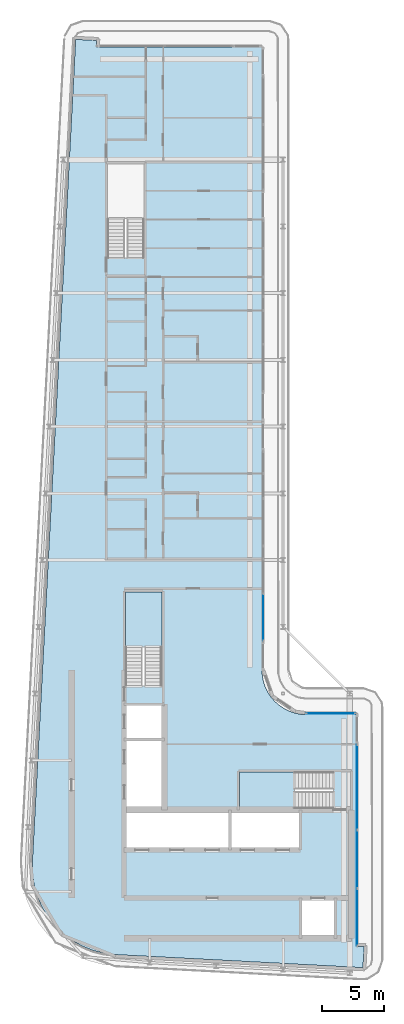
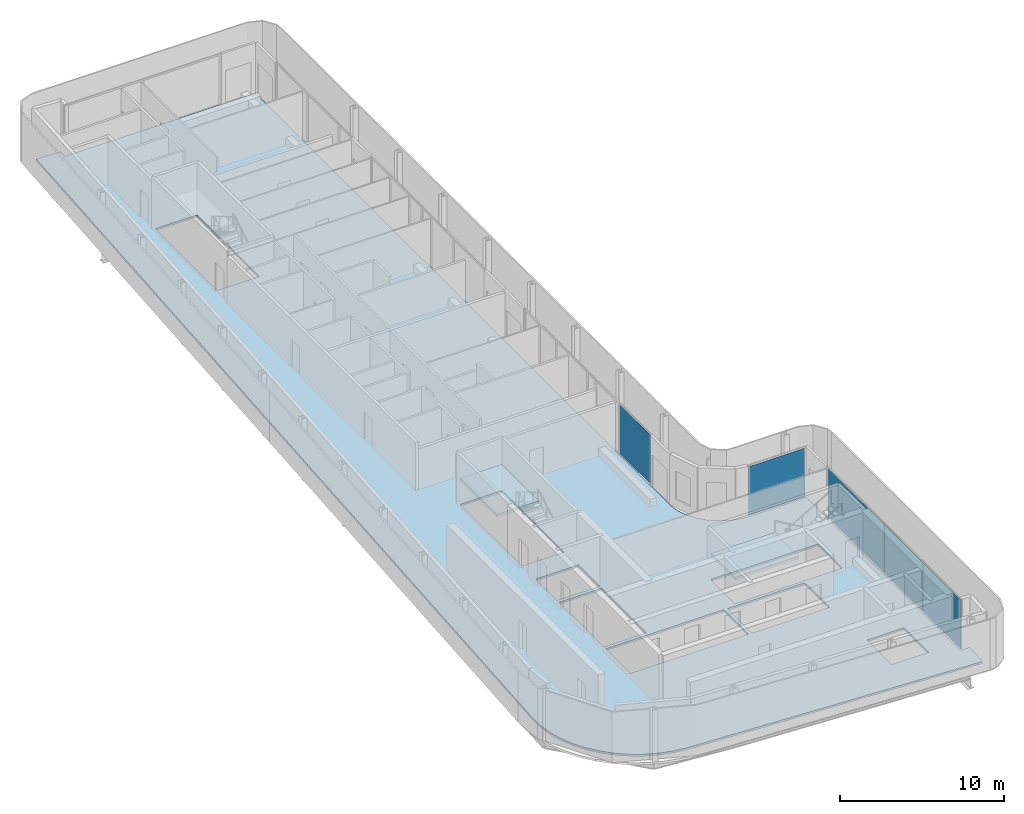
# One storey, part 7 of 18: 5 plates, 3 slabs, 6 elements without a shape of their own.
"""IFC4 building model written with IfcOpenShell, lengths in metres."""

from ifc_helpers import new_model, si_unit, direction, frame, origin, origin_2d, place, context, subcontext, project, spatial, polyline, rectangle, outline, extrude, material, layer, layer_set, type_object, element, aggregate, save


model = new_model("IFC4")

# Units and contexts
model_context = context("Model", 3, precision=1e-05, world=origin(), true_north=direction((0.0, 1.0)))
body_context = subcontext(model_context, "Body", "Model", "MODEL_VIEW")
ifc_project = project(units=[si_unit("LENGTHUNIT", "METRE"), si_unit("AREAUNIT", "SQUARE_METRE"), si_unit("VOLUMEUNIT", "CUBIC_METRE"), si_unit("PLANEANGLEUNIT", "RADIAN"), si_unit("MASSUNIT", "GRAM", prefix="KILO")], contexts=[model_context])

# Site, building, storey
site_placement = place(None, origin())
site = spatial("IfcSite", under=ifc_project, at=site_placement, CompositionType="ELEMENT")
building_placement = place(site_placement, origin())
building = spatial("IfcBuilding", under=site, at=building_placement, Name="Kheshtan School and Residences Tower", CompositionType="ELEMENT")
storey_placement = place(building_placement, frame((0.0, 0.0, 373.39990234375)))
storey = spatial("IfcBuildingStorey", under=building, at=storey_placement, Name="L88", CompositionType="ELEMENT", Elevation=373.39990234375)

# Curtain wall, plate
ifc_material_1 = material(Name="Clear low-e glass in thermally broken aluminium frame", Category="aluminium")
ifc_layer_1 = layer(ifc_material_1, 0.199951171875)
ifc_layer_set_1 = layer_set([ifc_layer_1], Name="Curtain wall CW-B")
curtain_wall_type_1 = type_object("IfcCurtainWallType", Name="Curtain wall CW-B", PredefinedType="NOTDEFINED", material=ifc_layer_set_1)
curtain_wall_1_placement = place(storey_placement, origin())
curtain_wall_1 = element("IfcCurtainWall", 1, at=curtain_wall_1_placement, inside=storey, type_object=curtain_wall_type_1, Name="Curtain wall CWB12", PredefinedType="NOTDEFINED")
ifc_layer_2 = layer(ifc_material_1, 0.031982421875)
ifc_layer_set_2 = layer_set([ifc_layer_2], Name="CW-B glass panel")
plate_type_1 = type_object("IfcPlateType", Name="CW-B glass panel", PredefinedType="CURTAIN_PANEL", material=ifc_layer_set_2)
plate_1_placement = place(storey_placement, frame((51.465087890625, 44.0, 0.000244140625), z_axis=(0.0, 0.0, 1.0), x_axis=(1.0, 0.0, 0.0)))
plate_1 = element("IfcPlate", 2, at=plate_1_placement, type_object=plate_type_1, Name="CWB12 panel 1.1", PredefinedType="CURTAIN_PANEL", context=body_context, shape_type="SweptSolid", body=[
    extrude(rectangle(XDim=3.949951171875, YDim=0.031982421875, at=origin_2d()), origin(), (0.0, 0.0, 1.0), 3.6298828125),
])
aggregate(curtain_wall_1, [plate_1])

ifc_layer_3 = layer(ifc_material_1, 0.199951171875)
ifc_layer_set_3 = layer_set([ifc_layer_3], Name="Curtain wall CW-L")
curtain_wall_type_2 = type_object("IfcCurtainWallType", Name="Curtain wall CW-L", PredefinedType="NOTDEFINED", material=ifc_layer_set_3)
curtain_wall_2_placement = place(storey_placement, origin())
curtain_wall_2 = element("IfcCurtainWall", 3, at=curtain_wall_2_placement, inside=storey, type_object=curtain_wall_type_2, Name="Curtain wall CWL8c", PredefinedType="NOTDEFINED")
ifc_layer_4 = layer(ifc_material_1, 0.031982421875)
ifc_layer_set_4 = layer_set([ifc_layer_4], Name="CW-L glass panel")
plate_type_2 = type_object("IfcPlateType", Name="CW-L glass panel", PredefinedType="CURTAIN_PANEL", material=ifc_layer_set_4)
plate_2_placement = place(storey_placement, frame((46.0, 51.7685546875, 0.000244140625), z_axis=(0.0, 0.0, 1.0), x_axis=(0.0, -1.0, 0.0)))
plate_2 = element("IfcPlate", 4, at=plate_2_placement, type_object=plate_type_2, Name="CWL8c panel 3.1", PredefinedType="CURTAIN_PANEL", context=body_context, shape_type="SweptSolid", body=[
    extrude(rectangle(XDim=3.757080078125, YDim=0.031982421875, at=origin_2d()), origin(), (0.0, 0.0, 1.0), 3.6298828125),
])
aggregate(curtain_wall_2, [plate_2])

curtain_wall_3_placement = place(storey_placement, origin())
curtain_wall_3 = element("IfcCurtainWall", 5, at=curtain_wall_3_placement, inside=storey, type_object=curtain_wall_type_2, Name="Curtain wall CWL13h", PredefinedType="NOTDEFINED")
plate_3_placement = place(storey_placement, frame((53.60009765625, 38.013916015625, 0.000244140625), z_axis=(0.0, 0.0, 1.0), x_axis=(0.0, -1.0, 0.0)))
plate_3 = element("IfcPlate", 6, at=plate_3_placement, type_object=plate_type_2, Name="CWL13h panel 1.1", PredefinedType="CURTAIN_PANEL", context=body_context, shape_type="SweptSolid", body=[
    extrude(rectangle(XDim=6.85205078125, YDim=0.031982421875, at=origin_2d()), origin(), (0.0, 0.0, 1.0), 3.6298828125),
])
aggregate(curtain_wall_3, [plate_3])

# Curtain wall, plates
curtain_wall_4_placement = place(storey_placement, origin())
curtain_wall_4 = element("IfcCurtainWall", 7, at=curtain_wall_4_placement, inside=storey, type_object=curtain_wall_type_2, Name="Curtain wall CWL13i", PredefinedType="NOTDEFINED")
plate_4_placement = place(storey_placement, frame((53.60009765625, 32.199951171875, 0.000244140625), z_axis=(0.0, 0.0, 1.0), x_axis=(0.0, -1.0, 0.0)))
plate_4 = element("IfcPlate", 8, at=plate_4_placement, type_object=plate_type_2, Name="CWL13i panel 1.1", PredefinedType="CURTAIN_PANEL", context=body_context, shape_type="SweptSolid", body=[
    extrude(rectangle(XDim=4.656005859375, YDim=0.031982421875, at=origin_2d()), origin(), (0.0, 0.0, 1.0), 3.6298828125),
])
plate_5_placement = place(storey_placement, frame((53.60009765625, 27.513916015625, 0.000244140625), z_axis=(0.0, 0.0, 1.0), x_axis=(0.0, -1.0, 0.0)))
plate_5 = element("IfcPlate", 9, at=plate_5_placement, type_object=plate_type_2, Name="CWL13i panel 2.1", PredefinedType="CURTAIN_PANEL", context=body_context, shape_type="SweptSolid", body=[
    extrude(rectangle(XDim=4.595947265625, YDim=0.031982421875, at=origin_2d()), origin(), (0.0, 0.0, 1.0), 3.6298828125),
])
aggregate(curtain_wall_4, [plate_4, plate_5])

# Slab
ifc_material_2 = material(Name="Concrete C40/50", Category="concrete")
ifc_layer_5 = layer(ifc_material_2, 0.14990234375)
ifc_layer_set_5 = layer_set([ifc_layer_5], Name="Floor slab 150 Concrete C40/50")
slab_type_1 = type_object("IfcSlabType", Name="Floor slab 150 Concrete C40/50", PredefinedType="FLOOR", material=ifc_layer_set_5)
slab_1_placement = place(storey_placement, frame((0.0, 0.0, -0.14990234375)))
element("IfcSlab", 10, at=slab_1_placement, inside=storey, type_object=slab_type_1, Name="Floor slab L88", PredefinedType="FLOOR", context=body_context, shape_type="SweptSolid", body=[
    extrude(outline(polyline([(28.55908203125, 27.550048828125), (28.0849609375, 28.345947265625), (27.718017578125, 29.200927734375), (27.466064453125, 30.093017578125), (27.466064453125, 30.093994140625), (27.3330078125, 31.013916015625), (27.320068359375, 31.965087890625), (27.320068359375, 31.970947265625), (30.822021484375, 98.5009765625), (30.822998046875, 98.508056640625), (30.825927734375, 98.531005859375), (30.825927734375, 98.531982421875), (30.826904296875, 98.531982421875), (31.422119140625, 98.5), (31.423095703125, 98.5), (31.423095703125, 98.4990234375), (31.423095703125, 98.4951171875), (31.423095703125, 98.493896484375), (31.424072265625, 98.493896484375), (31.424072265625, 98.492919921875), (31.425048828125, 98.492919921875), (31.426025390625, 98.492919921875), (31.426025390625, 98.493896484375), (31.427978515625, 98.49609375), (31.428955078125, 98.4970703125), (31.429931640625, 98.498046875), (31.430908203125, 98.498046875), (31.430908203125, 98.4990234375), (31.431884765625, 98.4990234375), (31.431884765625, 98.5), (31.43505859375, 98.5009765625), (31.43603515625, 98.501953125), (31.43896484375, 98.501953125), (31.43994140625, 98.501953125), (31.43994140625, 98.5029296875), (31.44091796875, 98.5029296875), (31.446044921875, 98.5029296875), (32.5009765625, 98.447021484375), (32.50390625, 98.447021484375), (32.5048828125, 98.447021484375), (32.5048828125, 98.446044921875), (32.506103515625, 98.446044921875), (32.510009765625, 98.446044921875), (32.510009765625, 98.445068359375), (32.510986328125, 98.445068359375), (32.510986328125, 98.444091796875), (32.511962890625, 98.444091796875), (32.511962890625, 98.443115234375), (32.512939453125, 98.443115234375), (32.513916015625, 98.443115234375), (32.513916015625, 98.44189453125), (32.514892578125, 98.44189453125), (32.51611328125, 98.44189453125), (32.51904296875, 98.43896484375), (32.51904296875, 98.43798828125), (32.51904296875, 98.43701171875), (32.52001953125, 98.43701171875), (32.52001953125, 98.43603515625), (32.52099609375, 98.43603515625), (32.52099609375, 98.43408203125), (32.52099609375, 98.43310546875), (32.52197265625, 98.43310546875), (32.52197265625, 98.431884765625), (32.52294921875, 98.431884765625), (32.52294921875, 98.430908203125), (32.52294921875, 98.428955078125), (32.52294921875, 98.427978515625), (32.52392578125, 98.427978515625), (32.52392578125, 98.427001953125), (32.52392578125, 98.422119140625), (32.4970703125, 97.9208984375), (32.4970703125, 97.91796875), (32.4970703125, 97.9169921875), (32.49609375, 97.9169921875), (32.49609375, 97.916015625), (32.49609375, 97.912109375), (32.4951171875, 97.910888671875), (32.4951171875, 97.909912109375), (32.493896484375, 97.909912109375), (32.493896484375, 97.908935546875), (32.492919921875, 97.908935546875), (32.492919921875, 97.907958984375), (32.489013671875, 97.904052734375), (32.488037109375, 97.904052734375), (32.488037109375, 97.903076171875), (32.488037109375, 97.902099609375), (32.488037109375, 97.90087890625), (32.489013671875, 97.90087890625), (32.489013671875, 97.89990234375), (32.489990234375, 97.89990234375), (45.85498046875, 97.89990234375), (45.864990234375, 97.89794921875), (45.865966796875, 97.89794921875), (45.868896484375, 97.89599609375), (45.8740234375, 97.89404296875), (45.8779296875, 97.89208984375), (45.881103515625, 97.889892578125), (45.881103515625, 97.888916015625), (45.882080078125, 97.888916015625), (45.882080078125, 97.887939453125), (45.883056640625, 97.887939453125), (45.884033203125, 97.885009765625), (45.885009765625, 97.885009765625), (45.885009765625, 97.884033203125), (45.887939453125, 97.883056640625), (45.887939453125, 97.882080078125), (45.888916015625, 97.882080078125), (45.888916015625, 97.881103515625), (45.889892578125, 97.881103515625), (45.89208984375, 97.8779296875), (45.89404296875, 97.8740234375), (45.89599609375, 97.868896484375), (45.89794921875, 97.865966796875), (45.89794921875, 97.864990234375), (45.89990234375, 97.85498046875), (45.89990234375, 47.429931640625), (45.927001953125, 47.030029296875), (46.01806640625, 46.570068359375), (46.01806640625, 46.569091796875), (46.169921875, 46.1201171875), (46.37890625, 45.697021484375), (46.638916015625, 45.30810546875), (46.949951171875, 44.950927734375), (46.950927734375, 44.949951171875), (47.30810546875, 44.638916015625), (47.697021484375, 44.37890625), (48.1201171875, 44.169921875), (48.569091796875, 44.01806640625), (48.570068359375, 44.01806640625), (49.030029296875, 43.927001953125), (49.429931640625, 43.89990234375), (53.455078125, 43.89990234375), (53.465087890625, 43.89794921875), (53.466064453125, 43.89794921875), (53.468994140625, 43.89599609375), (53.47412109375, 43.89404296875), (53.47802734375, 43.89208984375), (53.48095703125, 43.889892578125), (53.48095703125, 43.888916015625), (53.48193359375, 43.888916015625), (53.48193359375, 43.887939453125), (53.48291015625, 43.887939453125), (53.48388671875, 43.885009765625), (53.485107421875, 43.885009765625), (53.485107421875, 43.884033203125), (53.488037109375, 43.883056640625), (53.488037109375, 43.882080078125), (53.489013671875, 43.882080078125), (53.489013671875, 43.881103515625), (53.489990234375, 43.881103515625), (53.491943359375, 43.8779296875), (53.493896484375, 43.8740234375), (53.49609375, 43.868896484375), (53.498046875, 43.865966796875), (53.498046875, 43.864990234375), (53.4990234375, 43.860107421875), (53.5, 43.85498046875), (53.5, 25.15087890625), (53.5, 25.14990234375), (53.5009765625, 25.14990234375), (53.5009765625, 25.14892578125), (53.501953125, 25.14892578125), (53.5029296875, 25.14892578125), (53.5029296875, 25.14990234375), (53.506103515625, 25.153076171875), (53.507080078125, 25.154052734375), (53.508056640625, 25.154052734375), (53.508056640625, 25.155029296875), (53.509033203125, 25.155029296875), (53.509033203125, 25.156005859375), (53.512939453125, 25.157958984375), (53.51611328125, 25.157958984375), (53.51708984375, 25.157958984375), (53.51708984375, 25.158935546875), (53.51806640625, 25.158935546875), (53.52294921875, 25.158935546875), (54.137939453125, 25.1259765625), (54.14111328125, 25.1259765625), (54.14208984375, 25.1259765625), (54.14208984375, 25.125), (54.14306640625, 25.125), (54.14697265625, 25.125), (54.14697265625, 25.1240234375), (54.14794921875, 25.1240234375), (54.14794921875, 25.123046875), (54.14892578125, 25.123046875), (54.14892578125, 25.1220703125), (54.14990234375, 25.1220703125), (54.15087890625, 25.1220703125), (54.15087890625, 25.12109375), (54.152099609375, 25.12109375), (54.153076171875, 25.12109375), (54.156005859375, 25.117919921875), (54.156005859375, 25.116943359375), (54.156005859375, 25.115966796875), (54.156982421875, 25.115966796875), (54.156982421875, 25.114990234375), (54.157958984375, 25.114990234375), (54.157958984375, 25.113037109375), (54.157958984375, 25.112060546875), (54.158935546875, 25.112060546875), (54.158935546875, 25.111083984375), (54.159912109375, 25.111083984375), (54.159912109375, 25.110107421875), (54.159912109375, 25.10791015625), (54.159912109375, 25.10693359375), (54.160888671875, 25.10693359375), (54.160888671875, 25.10595703125), (54.160888671875, 25.10107421875), (54.10498046875, 24.0439453125), (54.10498046875, 24.041015625), (54.10498046875, 24.0400390625), (54.10400390625, 24.0400390625), (54.10400390625, 24.0390625), (54.10400390625, 24.034912109375), (54.10302734375, 24.033935546875), (54.10302734375, 24.032958984375), (54.10205078125, 24.032958984375), (54.10205078125, 24.031982421875), (54.10107421875, 24.031982421875), (54.10107421875, 24.031005859375), (54.096923828125, 24.027099609375), (54.095947265625, 24.027099609375), (54.095947265625, 24.02587890625), (54.095947265625, 24.02490234375), (54.095947265625, 24.02392578125), (54.096923828125, 24.02392578125), (54.096923828125, 24.02294921875), (54.097900390625, 24.02294921875), (54.09912109375, 24.02294921875), (54.10009765625, 24.02294921875), (54.10009765625, 24.02197265625), (54.068115234375, 23.427001953125), (54.068115234375, 23.426025390625), (54.06689453125, 23.426025390625), (54.04296875, 23.425048828125), (54.0380859375, 23.425048828125), (34.056884765625, 24.47802734375), (33.114990234375, 24.590087890625), (32.215087890625, 24.819091796875), (32.214111328125, 24.819091796875), (31.35205078125, 25.1630859375), (30.541015625, 25.616943359375), (29.799072265625, 26.1708984375), (29.799072265625, 26.172119140625), (29.798095703125, 26.172119140625), (29.134033203125, 26.820068359375), (29.134033203125, 26.821044921875), (29.133056640625, 26.821044921875), (28.55908203125, 27.550048828125)]), holes=[polyline([(53.5009765625, 24.030029296875), (53.5, 24.030029296875), (53.5, 24.029052734375), (53.5, 24.02490234375), (53.5, 24.02392578125), (53.5009765625, 24.02392578125), (53.5009765625, 24.02294921875), (53.501953125, 24.02294921875), (53.506103515625, 24.02294921875), (53.507080078125, 24.02294921875), (53.507080078125, 24.02392578125), (53.508056640625, 24.02392578125), (53.508056640625, 24.02490234375), (53.508056640625, 24.02587890625), (53.507080078125, 24.02587890625), (53.50390625, 24.029052734375), (53.5029296875, 24.030029296875), (53.5029296875, 24.031005859375), (53.501953125, 24.031005859375), (53.5009765625, 24.031005859375), (53.5009765625, 24.030029296875)]), polyline([(31.424072265625, 97.906982421875), (31.423095703125, 97.906982421875), (31.423095703125, 97.906005859375), (31.423095703125, 97.902099609375), (31.423095703125, 97.90087890625), (31.424072265625, 97.90087890625), (31.424072265625, 97.89990234375), (31.425048828125, 97.89990234375), (31.428955078125, 97.89990234375), (31.429931640625, 97.89990234375), (31.429931640625, 97.90087890625), (31.430908203125, 97.90087890625), (31.430908203125, 97.902099609375), (31.430908203125, 97.903076171875), (31.429931640625, 97.903076171875), (31.428955078125, 97.904052734375), (31.427978515625, 97.905029296875), (31.427001953125, 97.906005859375), (31.426025390625, 97.906982421875), (31.426025390625, 97.907958984375), (31.425048828125, 97.907958984375), (31.424072265625, 97.907958984375), (31.424072265625, 97.906982421875)]), polyline([(51.72509765625, 28.925048828125), (49.125, 28.925048828125), (49.125, 25.925048828125), (51.72509765625, 25.925048828125), (51.72509765625, 28.925048828125)]), polyline([(43.175048828125, 33.074951171875), (43.175048828125, 36.074951171875), (34.875, 36.074951171875), (34.875, 33.074951171875), (43.175048828125, 33.074951171875)]), polyline([(43.425048828125, 36.074951171875), (43.425048828125, 33.074951171875), (48.875, 33.074951171875), (48.875, 36.074951171875), (43.425048828125, 36.074951171875)]), polyline([(51.64990234375, 37.699951171875), (51.64990234375, 39.25), (44.090087890625, 39.25), (44.090087890625, 36.300048828125), (51.639892578125, 36.300048828125), (51.639892578125, 37.699951171875), (51.64990234375, 37.699951171875)]), polyline([(37.875, 41.77490234375), (34.875, 41.77490234375), (34.875, 36.324951171875), (37.875, 36.324951171875), (37.875, 41.77490234375)]), polyline([(37.875, 44.625), (34.875, 44.625), (34.875, 42.02490234375), (37.875, 42.02490234375), (37.875, 44.625)]), polyline([(37.800048828125, 53.81005859375), (34.85009765625, 53.81005859375), (34.85009765625, 46.260009765625), (36.25, 46.260009765625), (36.25, 46.25), (37.800048828125, 46.25), (37.800048828125, 53.81005859375)]), polyline([(36.35009765625, 88.4599609375), (33.39990234375, 88.4599609375), (33.39990234375, 80.909912109375), (34.800048828125, 80.909912109375), (34.800048828125, 80.89990234375), (36.35009765625, 80.89990234375), (36.35009765625, 88.4599609375)])]), origin(), (0.0, 0.0, 1.0), 0.14990234375),
])

# Stair, slab
stair_type = type_object("IfcStairType", Name="Exit stair, half-turn", PredefinedType="HALF_TURN_STAIR", material=ifc_material_2)
stair_1_placement = place(storey_placement, origin())
stair_1 = element("IfcStair", 11, at=stair_1_placement, inside=storey, type_object=stair_type, Name="L88 Protected Exit Stair ST1", PredefinedType="HALF_TURN_STAIR")
ifc_layer_6 = layer(ifc_material_2, 0.199951171875)
ifc_layer_set_6 = layer_set([ifc_layer_6], Name="Stair landing 200 Concrete C40/50")
slab_type_2 = type_object("IfcSlabType", Name="Stair landing 200 Concrete C40/50", PredefinedType="LANDING", material=ifc_layer_set_6)
slab_2_placement = place(storey_placement, frame((0.0, 0.0, 1.75)))
slab_2 = element("IfcSlab", 12, at=slab_2_placement, type_object=slab_type_2, Name="ST1 landing 1", PredefinedType="LANDING", context=body_context, shape_type="SweptSolid", body=[
    extrude(outline(polyline([(48.570068359375, 39.25), (44.090087890625, 39.25), (44.090087890625, 36.300048828125), (48.570068359375, 36.300048828125), (48.570068359375, 39.25)])), origin(), (0.0, 0.0, 1.0), 0.2001953125),
])
aggregate(stair_1, [slab_2])

stair_2_placement = place(storey_placement, origin())
stair_2 = element("IfcStair", 13, at=stair_2_placement, inside=storey, type_object=stair_type, Name="L88 Protected Exit Stair ST2", PredefinedType="HALF_TURN_STAIR")
slab_3_placement = place(storey_placement, frame((0.0, 0.0, 1.75)))
slab_3 = element("IfcSlab", 14, at=slab_3_placement, type_object=slab_type_2, Name="ST2 landing 1", PredefinedType="LANDING", context=body_context, shape_type="SweptSolid", body=[
    extrude(outline(polyline([(37.800048828125, 49.330078125), (37.800048828125, 53.81005859375), (34.85009765625, 53.81005859375), (34.85009765625, 49.330078125), (37.800048828125, 49.330078125)])), origin(), (0.0, 0.0, 1.0), 0.2001953125),
])
aggregate(stair_2, [slab_3])

save(model, "model.ifc")
